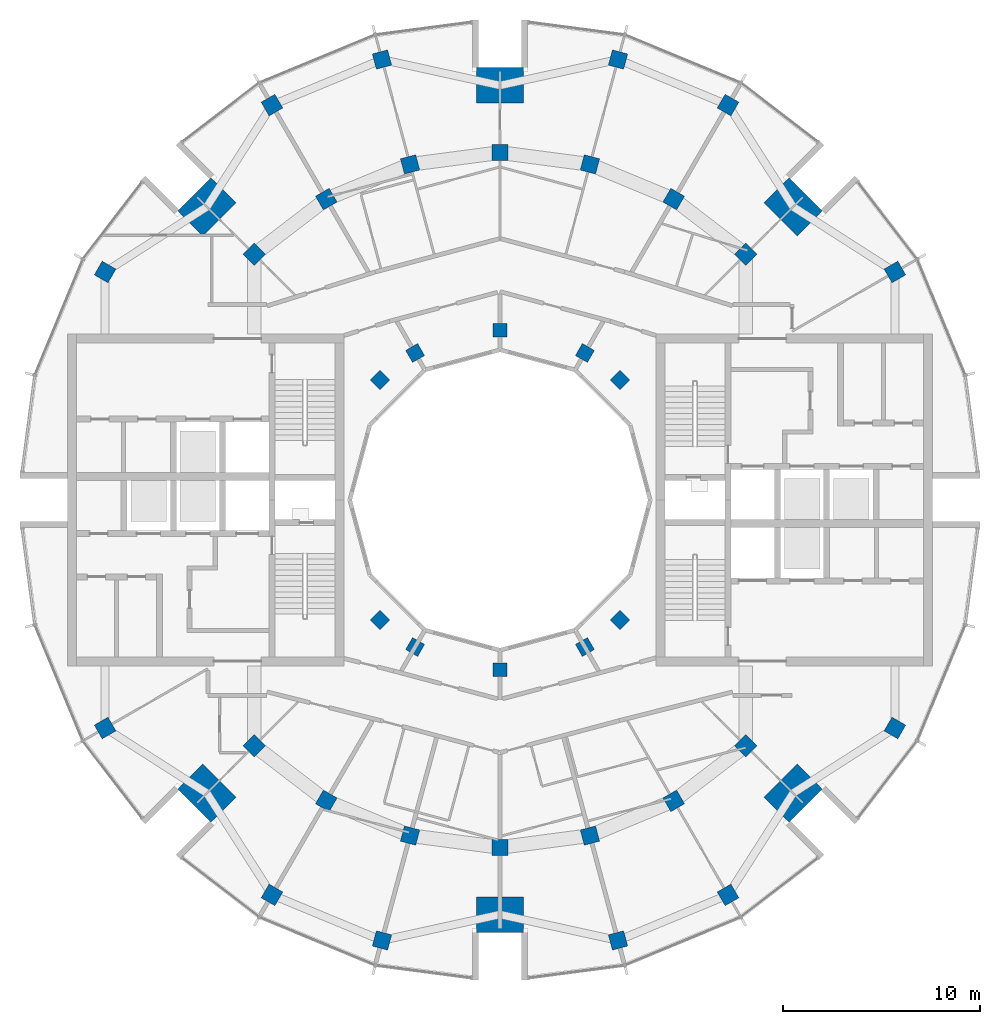
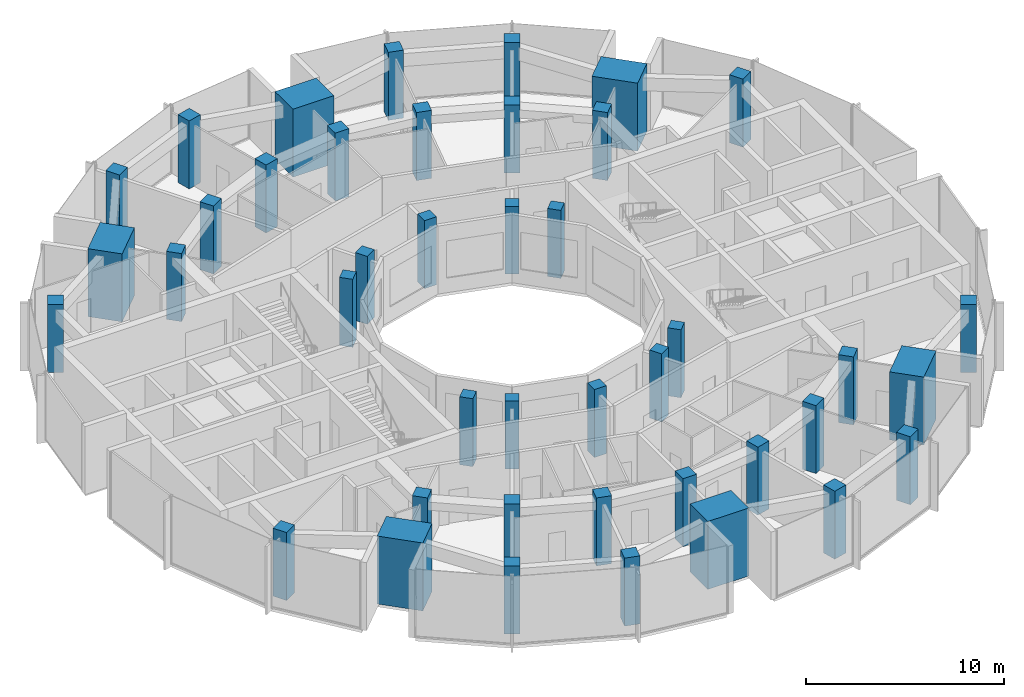
# One storey, part 1 of 15: 42 columns.
"""IFC4 building model written with IfcOpenShell, lengths in metres."""

from ifc_helpers import new_model, si_unit, direction, frame, origin, origin_2d, place, context, subcontext, project, spatial, rectangle, extrude, material, material_profile, profile_set, type_object, element, save


model = new_model("IFC4")

# Units and contexts
model_context = context("Model", 3, precision=1e-05, world=origin(), true_north=direction((0.0, 1.0)))
body_context = subcontext(model_context, "Body", "Model", "MODEL_VIEW")
ifc_project = project(units=[si_unit("LENGTHUNIT", "METRE"), si_unit("AREAUNIT", "SQUARE_METRE"), si_unit("VOLUMEUNIT", "CUBIC_METRE"), si_unit("PLANEANGLEUNIT", "RADIAN"), si_unit("MASSUNIT", "GRAM", prefix="KILO")], contexts=[model_context])

# Site, building, storey
site_placement = place(None, origin())
site = spatial("IfcSite", under=ifc_project, at=site_placement, CompositionType="ELEMENT")
building_placement = place(site_placement, origin())
building = spatial("IfcBuilding", under=site, at=building_placement, Name="Torre Brocal", CompositionType="ELEMENT")
storey_placement = place(building_placement, frame((0.0, 0.0, 284.10009765625)))
storey = spatial("IfcBuildingStorey", under=building, at=storey_placement, Name="L65", CompositionType="ELEMENT", Elevation=284.10009765625)

# Columns
ifc_material_1 = material(Name="Concrete C50", Category="concrete")
ifc_material_profile_1 = material_profile(ifc_material_1, rectangle(XDim=1.800048828125, YDim=2.39990234375, at=origin_2d()), Name="RC 1800X2400")
ifc_profile_set_1 = profile_set([ifc_material_profile_1], Name="Concrete C50")
column_type_1 = type_object("IfcColumnType", Name="RC COLUMN 1800X2400 C50", PredefinedType="COLUMN", material=ifc_profile_set_1)
for number, where, z_axis, x_axis, name in (
    (1, (94.84912109375, 89.84912109375, 0.0), (0.0, 0.0, 1.0), (0.707106781187, 0.707106781187, 0.0), "Column MCA-1"),
    (2, (80.0, 96.0, 0.0), (0.0, 0.0, 1.0), (0.0, 1.0, 0.0), "Column MCA-2"),
    (3, (65.15087890625, 89.84912109375, 0.0), (0.0, 0.0, 1.0), (-0.707106781187, 0.707106781187, 0.0), "Column MCA-3"),
    (4, (65.15087890625, 60.15087890625, 0.0), (0.0, 0.0, 1.0), (-0.707106781187, -0.707106781187, 0.0), "Column MCA-5"),
    (5, (80.0, 54.0, 0.0), (0.0, 0.0, 1.0), (0.0, -1.0, 0.0), "Column MCA-6"),
    (6, (94.84912109375, 60.15087890625, 0.0), (0.0, 0.0, 1.0), (0.707106781187, -0.707106781187, 0.0), "Column MCA-7"),
):
    element("IfcColumn", number, at=place(storey_placement, frame(where, z_axis=z_axis, x_axis=x_axis)), inside=storey, type_object=column_type_1, Name=name, PredefinedType="COLUMN", context=body_context, shape_type="SweptSolid", body=[
        extrude(rectangle(XDim=1.800048828125, YDim=2.39990234375, at=origin_2d()), origin(), (0.0, 0.0, 1.0), 4.199951171875),
    ])
ifc_material_2 = material(Name="Concrete C50", Category="concrete")
ifc_material_profile_2 = material_profile(ifc_material_2, rectangle(XDim=0.699951171875, YDim=0.699951171875, at=origin_2d()), Name="RC 700X700")
ifc_profile_set_2 = profile_set([ifc_material_profile_2], Name="Concrete C50")
column_type_2 = type_object("IfcColumnType", Name="RC COLUMN 700X700 C50", PredefinedType="COLUMN", material=ifc_profile_set_2)
for number, where, z_axis, x_axis, name in (
    (7, (86.0810546875, 81.0810546875, 0.0), (0.0, 0.0, 1.0), (0.707106781187, 0.707106781187, 0.0), "Column C-I03"),
    (8, (84.300048828125, 82.44775390625, 0.0), (0.0, 0.0, 1.0), (0.5, 0.866025403784, 0.0), "Column C-I04"),
    (9, (80.0, 83.60009765625, 0.0), (0.0, 0.0, 1.0), (0.0, 1.0, 0.0), "Column C-I06"),
    (10, (75.699951171875, 82.44775390625, 0.0), (0.0, 0.0, 1.0), (-0.5, 0.866025403784, 0.0), "Column C-I08"),
    (11, (73.9189453125, 81.0810546875, 0.0), (0.0, 0.0, 1.0), (-0.707106781187, 0.707106781187, 0.0), "Column C-I09"),
    (12, (73.9189453125, 68.9189453125, 0.0), (0.0, 0.0, 1.0), (-0.707106781187, -0.707106781187, 0.0), "Column C-I15"),
    (13, (75.699951171875, 67.55224609375, 0.0), (0.0, 0.0, 1.0), (-0.5, -0.866025403784, 0.0), "Column C-I16"),
    (14, (80.0, 66.39990234375, 0.0), (0.0, 0.0, 1.0), (0.0, -1.0, 0.0), "Column C-I18"),
    (15, (84.300048828125, 67.55224609375, 0.0), (0.0, 0.0, 1.0), (0.5, -0.866025403784, 0.0), "Column C-I20"),
    (16, (86.0810546875, 68.9189453125, 0.0), (0.0, 0.0, 1.0), (0.707106781187, -0.707106781187, 0.0), "Column C-I21"),
):
    element("IfcColumn", number, at=place(storey_placement, frame(where, z_axis=z_axis, x_axis=x_axis)), inside=storey, type_object=column_type_2, Name=name, PredefinedType="COLUMN", context=body_context, shape_type="SweptSolid", body=[
        extrude(rectangle(XDim=0.699951171875, YDim=0.699951171875, at=origin_2d()), origin(), (0.0, 0.0, 1.0), 4.199951171875),
    ])
ifc_material_3 = material(Name="Concrete C50", Category="concrete")
ifc_material_profile_3 = material_profile(ifc_material_3, rectangle(XDim=0.800048828125, YDim=0.800048828125, at=origin_2d()), Name="RC 800X800")
ifc_profile_set_3 = profile_set([ifc_material_profile_3], Name="Concrete C50")
column_type_3 = type_object("IfcColumnType", Name="RC COLUMN 800X800 C50", PredefinedType="COLUMN", material=ifc_profile_set_3)
for number, where, z_axis, x_axis, name in (
    (17, (100.005126953125, 86.550048828125, 0.0), (0.0, 0.0, 1.0), (0.866025403784, 0.5, 0.0), "Column C-OA02"),
    (18, (91.550048828125, 95.005126953125, 0.0), (0.0, 0.0, 1.0), (0.5, 0.866025403784, 0.0), "Column C-OA04"),
    (19, (85.978759765625, 97.31298828125, 0.0), (0.0, 0.0, 1.0), (0.258819045103, 0.965925826289, 0.0), "Column C-OA05"),
    (20, (74.021240234375, 97.31298828125, 0.0), (0.0, 0.0, 1.0), (-0.258819045103, 0.965925826289, 0.0), "Column C-OA07"),
    (21, (68.449951171875, 95.005126953125, 0.0), (0.0, 0.0, 1.0), (-0.5, 0.866025403784, 0.0), "Column C-OA08"),
    (22, (59.994873046875, 86.550048828125, 0.0), (0.0, 0.0, 1.0), (-0.866025403784, 0.5, 0.0), "Column C-OA10"),
    (23, (59.994873046875, 63.449951171875, 0.0), (0.0, 0.0, 1.0), (-0.866025403784, -0.5, 0.0), "Column C-OA14"),
    (24, (68.449951171875, 54.994873046875, 0.0), (0.0, 0.0, 1.0), (-0.5, -0.866025403784, 0.0), "Column C-OA16"),
    (25, (74.021240234375, 52.68701171875, 0.0), (0.0, 0.0, 1.0), (-0.258819045103, -0.965925826289, 0.0), "Column C-OA17"),
    (26, (85.978759765625, 52.68701171875, 0.0), (0.0, 0.0, 1.0), (0.258819045103, -0.965925826289, 0.0), "Column C-OA19"),
    (27, (91.550048828125, 54.994873046875, 0.0), (0.0, 0.0, 1.0), (0.5, -0.866025403784, 0.0), "Column C-OA20"),
    (28, (100.005126953125, 63.449951171875, 0.0), (0.0, 0.0, 1.0), (0.866025403784, -0.5, 0.0), "Column C-OA22"),
    (29, (92.445068359375, 87.445068359375, 0.0), (0.0, 0.0, 1.0), (0.707106781187, 0.707106781187, 0.0), "Column C-M03"),
    (30, (88.800048828125, 90.241943359375, 0.0), (0.0, 0.0, 1.0), (0.5, 0.866025403784, 0.0), "Column C-M04"),
    (31, (84.55517578125, 92.000244140625, 0.0), (0.0, 0.0, 1.0), (0.258819045103, 0.965925826289, 0.0), "Column C-M05"),
    (32, (80.0, 92.60009765625, 0.0), (0.0, 0.0, 1.0), (0.0, 1.0, 0.0), "Column C-M06"),
    (33, (75.44482421875, 92.000244140625, 0.0), (0.0, 0.0, 1.0), (-0.258819045103, 0.965925826289, 0.0), "Column C-M07"),
    (34, (71.199951171875, 90.241943359375, 0.0), (0.0, 0.0, 1.0), (-0.5, 0.866025403784, 0.0), "Column C-M08"),
    (35, (67.554931640625, 87.445068359375, 0.0), (0.0, 0.0, 1.0), (-0.707106781187, 0.707106781187, 0.0), "Column C-M09"),
    (36, (67.554931640625, 62.554931640625, 0.0), (0.0, 0.0, 1.0), (-0.707106781187, -0.707106781187, 0.0), "Column C-M15"),
    (37, (71.199951171875, 59.758056640625, 0.0), (0.0, 0.0, 1.0), (-0.5, -0.866025403784, 0.0), "Column C-M16"),
    (38, (75.44482421875, 57.999755859375, 0.0), (0.0, 0.0, 1.0), (-0.258819045103, -0.965925826289, 0.0), "Column C-M17"),
    (39, (80.0, 57.39990234375, 0.0), (0.0, 0.0, 1.0), (0.0, -1.0, 0.0), "Column C-M18"),
    (40, (84.55517578125, 57.999755859375, 0.0), (0.0, 0.0, 1.0), (0.258819045103, -0.965925826289, 0.0), "Column C-M19"),
    (41, (88.800048828125, 59.758056640625, 0.0), (0.0, 0.0, 1.0), (0.5, -0.866025403784, 0.0), "Column C-M20"),
    (42, (92.445068359375, 62.554931640625, 0.0), (0.0, 0.0, 1.0), (0.707106781187, -0.707106781187, 0.0), "Column C-M21"),
):
    element("IfcColumn", number, at=place(storey_placement, frame(where, z_axis=z_axis, x_axis=x_axis)), inside=storey, type_object=column_type_3, Name=name, PredefinedType="COLUMN", context=body_context, shape_type="SweptSolid", body=[
        extrude(rectangle(XDim=0.800048828125, YDim=0.800048828125, at=origin_2d()), origin(), (0.0, 0.0, 1.0), 4.199951171875),
    ])

save(model, "model.ifc")
